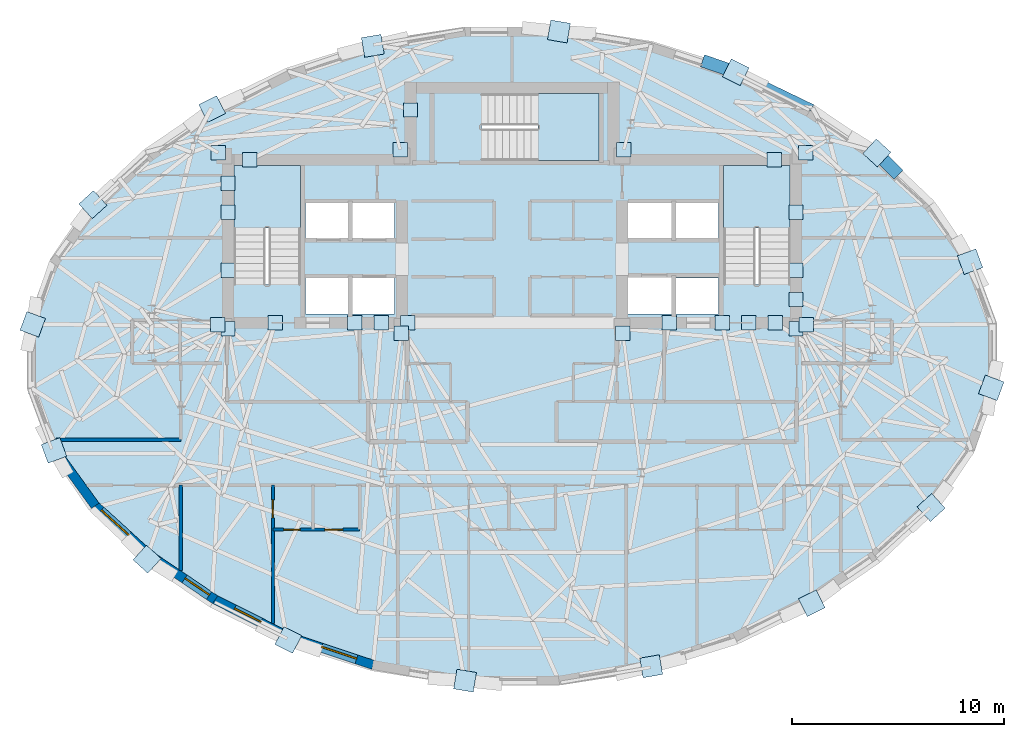
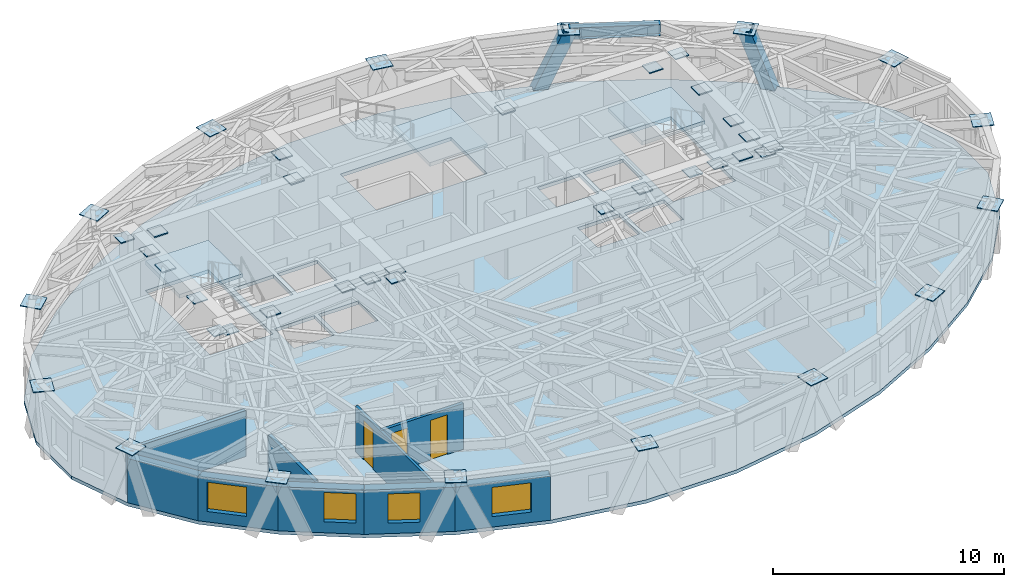
# One storey, part 5 of 14: 43 plates, 9 walls, 4 slabs, 4 windows, 3 doors, 2 members, 1 beam, 7 openings, 3 elements without a shape of their own.
"""IFC4 building model written with IfcOpenShell, lengths in metres."""

from ifc_helpers import new_model, si_unit, direction, frame, frame_2d, origin, origin_2d, place, context, subcontext, project, spatial, polyline, rectangle, hollow_rectangle, i_section, outline, extrude, material, layer, layer_set, material_profile, profile_set, type_object, element, fill, aggregate, save


model = new_model("IFC4")

# Units and contexts
model_context = context("Model", 3, precision=1e-05, world=origin(), true_north=direction((0.0, 1.0)))
body_context = subcontext(model_context, "Body", "Model", "MODEL_VIEW")
ifc_project = project(units=[si_unit("LENGTHUNIT", "METRE"), si_unit("AREAUNIT", "SQUARE_METRE"), si_unit("VOLUMEUNIT", "CUBIC_METRE"), si_unit("PLANEANGLEUNIT", "RADIAN"), si_unit("MASSUNIT", "GRAM", prefix="KILO")], contexts=[model_context])

# Site, building, storey
site_placement = place(None, origin())
site = spatial("IfcSite", under=ifc_project, at=site_placement, CompositionType="ELEMENT")
building_placement = place(site_placement, origin())
building = spatial("IfcBuilding", under=site, at=building_placement, Name="Keldmark Tower", CompositionType="ELEMENT")
storey_placement = place(building_placement, frame((0.0, 0.0, 222.60009765625)))
storey = spatial("IfcBuildingStorey", under=building, at=storey_placement, Name="L62", CompositionType="ELEMENT", Elevation=222.60009765625)

# Members
ifc_material_1 = material(Name="Steel ASTM A572 Grade 50", Category="steel")
ifc_material_profile_1 = material_profile(ifc_material_1, hollow_rectangle(XDim=0.60009765625, YDim=0.60009765625, WallThickness=0.034912109375, at=origin_2d()), Name="BOX600X600X35")
ifc_profile_set_1 = profile_set([ifc_material_profile_1], Name="Steel ASTM A572 Grade 50")
member_type = type_object("IfcMemberType", Name="Diagrid Zone 4 Brace BOX600X600X35", PredefinedType="BRACE", material=ifc_profile_set_1)
member_1_placement = place(storey_placement, frame((18.072265625, 8.77392578125, -0.260009765625), z_axis=(-0.248197625817, 0.248859094171, 0.936198210737), x_axis=(-0.70804715098, -0.706165159144, 0.0)))
element("IfcMember", 1, at=member_1_placement, inside=storey, type_object=member_type, Name="L62 Perimeter Diagrid Brace 02A", PredefinedType="BRACE", context=body_context, shape_type="SweptSolid", body=[
    extrude(hollow_rectangle(XDim=0.60009765625, YDim=0.60009765625, WallThickness=0.034912109375, at=origin_2d()), origin(), (0.0, 0.0, 1.0), 3.32177734375),
])
member_2_placement = place(storey_placement, frame((9.2626953125, 13.870849609375, -0.260009765625), z_axis=(0.38774311442, -0.134235291643, 0.911940877304), x_axis=(0.327146519512, 0.944973626495, 0.0)))
element("IfcMember", 2, at=member_2_placement, inside=storey, type_object=member_type, Name="L62 Perimeter Diagrid Brace 03B", PredefinedType="BRACE", context=body_context, shape_type="SweptSolid", body=[
    extrude(hollow_rectangle(XDim=0.60009765625, YDim=0.60009765625, WallThickness=0.034912109375, at=origin_2d()), origin(), (0.0, 0.0, 1.0), 3.41015625),
])

# Beam
ifc_material_2 = material(Name="Steel ASTM A992 Grade 50", Category="steel")
ifc_material_profile_2 = material_profile(ifc_material_2, i_section(OverallWidth=0.326904296875, OverallDepth=0.6220703125, WebThickness=0.015380859375, FlangeThickness=0.0244140625, at=origin_2d()), Name="W24X131")
ifc_profile_set_2 = profile_set([ifc_material_profile_2], Name="Steel ASTM A992 Grade 50")
beam_type = type_object("IfcBeamType", Name="Spandrel Ring Beam W24X131", PredefinedType="SPANDREL", material=ifc_profile_set_2)
beam_placement = place(storey_placement, frame((14.1982421875, 11.73291015625, 2.658935546875), z_axis=(-0.900331335269, 0.435205108808, 0.0), x_axis=(-0.435205108808, -0.900331335269, 0.0)))
element("IfcBeam", 3, at=beam_placement, inside=storey, type_object=beam_type, Name="L62 Perimeter Spandrel Ring Beam SRB-05", PredefinedType="SPANDREL", context=body_context, shape_type="SweptSolid", body=[
    extrude(i_section(OverallWidth=0.326904296875, OverallDepth=0.6220703125, WebThickness=0.015380859375, FlangeThickness=0.0244140625, at=origin_2d()), origin(), (0.0, 0.0, 1.0), 3.98193359375),
])

# Plates
ifc_material_3 = material(Name="Steel ASTM A572 Grade 50", Category="steel")
ifc_layer_1 = layer(ifc_material_3, 0.06005859375)
ifc_layer_set_1 = layer_set([ifc_layer_1], Name="Steel ASTM A572 Grade 50")
plate_type_1 = type_object("IfcPlateType", Name="Belt Truss Kink Node Assembly KN01 60 mm", PredefinedType="USERDEFINED", material=ifc_layer_set_1)
for number, where, z_axis, x_axis, name in (
    (4, (13.91162109375, 1.473388671875, 2.677734375), (0.0, 0.0, 1.0), (1.0, 0.0, 0.0), "L62 Core Wall Cast-In Embed Plate 1816"),
    (5, (13.878173828125, 9.608154296875, 2.677734375), (0.0, 0.0, 1.0), (1.0, 0.0, 0.0), "L62 Core Wall Cast-In Embed Plate 1817"),
    (6, (5.28515625, 9.758544921875, 2.677734375), (0.0, 0.0, 1.0), (1.0, 0.0, 0.0), "L62 Core Wall Cast-In Embed Plate 1818"),
    (7, (-5.28515625, 9.758544921875, 2.677734375), (0.0, 0.0, 1.0), (1.0, 0.0, 0.0), "L62 Core Wall Cast-In Embed Plate 1819"),
    (8, (-13.878173828125, 9.608154296875, 2.677734375), (0.0, 0.0, 1.0), (1.0, 0.0, 0.0), "L62 Core Wall Cast-In Embed Plate 1820"),
    (9, (-13.91162109375, 1.473388671875, 2.677734375), (0.0, 0.0, 1.0), (1.0, 0.0, 0.0), "L62 Core Wall Cast-In Embed Plate 1821"),
    (10, (-5.24072265625, 1.08251953125, 2.677734375), (0.0, 0.0, 1.0), (1.0, 0.0, 0.0), "L62 Core Wall Cast-In Embed Plate 1822"),
    (11, (5.24072265625, 1.08251953125, 2.677734375), (0.0, 0.0, 1.0), (1.0, 0.0, 0.0), "L62 Core Wall Cast-In Embed Plate 1823"),
    (12, (-11.19287109375, 1.574951171875, 2.673828125), (0.0, 0.0, 1.0), (1.0, 0.0, 0.0), "L62 Core Wall Cast-In Embed Plate 1824"),
    (13, (-7.43212890625, 1.574951171875, 2.673828125), (0.0, 0.0, 1.0), (1.0, 0.0, 0.0), "L62 Core Wall Cast-In Embed Plate 1825"),
    (14, (7.43212890625, 1.574951171875, 2.673828125), (0.0, 0.0, 1.0), (1.0, 0.0, 0.0), "L62 Core Wall Cast-In Embed Plate 1826"),
    (15, (11.19287109375, 1.574951171875, 2.673828125), (0.0, 0.0, 1.0), (1.0, 0.0, 0.0), "L62 Core Wall Cast-In Embed Plate 1827"),
    (16, (13.425048828125, 4.050048828125, 2.673828125), (0.0, 0.0, 1.0), (1.0, 0.0, 0.0), "L62 Core Wall Cast-In Embed Plate 1828"),
    (17, (-6.1787109375, 1.574951171875, 2.673828125), (0.0, 0.0, 1.0), (1.0, 0.0, 0.0), "L62 Core Wall Cast-In Embed Plate 1829"),
    (18, (9.939208984375, 1.574951171875, 2.673828125), (0.0, 0.0, 1.0), (1.0, 0.0, 0.0), "L62 Core Wall Cast-In Embed Plate 1830"),
    (19, (13.425048828125, 6.800048828125, 2.673828125), (0.0, 0.0, 1.0), (1.0, 0.0, 0.0), "L62 Core Wall Cast-In Embed Plate 1831"),
    (20, (-13.425048828125, 4.050048828125, 2.673828125), (0.0, 0.0, 1.0), (1.0, 0.0, 0.0), "L62 Core Wall Cast-In Embed Plate 1832"),
    (21, (-13.425048828125, 6.800048828125, 2.673828125), (0.0, 0.0, 1.0), (1.0, 0.0, 0.0), "L62 Core Wall Cast-In Embed Plate 1833"),
    (22, (12.4462890625, 1.574951171875, 2.673828125), (0.0, 0.0, 1.0), (1.0, 0.0, 0.0), "L62 Core Wall Cast-In Embed Plate 1834"),
    (23, (-13.425048828125, 1.300048828125, 2.673828125), (0.0, 0.0, 1.0), (1.0, 0.0, 0.0), "L62 Core Wall Cast-In Embed Plate 1835"),
    (24, (-4.925048828125, 1.574951171875, 2.673828125), (0.0, 0.0, 1.0), (1.0, 0.0, 0.0), "L62 Core Wall Cast-In Embed Plate 1836"),
    (25, (13.425048828125, 1.300048828125, 2.673828125), (0.0, 0.0, 1.0), (1.0, 0.0, 0.0), "L62 Core Wall Cast-In Embed Plate 1837"),
    (26, (13.425048828125, 2.675048828125, 2.673828125), (0.0, 0.0, 1.0), (1.0, 0.0, 0.0), "L62 Core Wall Cast-In Embed Plate 1838"),
    (27, (12.389404296875, 9.27490234375, 2.673828125), (0.0, 0.0, 1.0), (1.0, 0.0, 0.0), "L62 Core Wall Cast-In Embed Plate 1839"),
    (28, (-12.389404296875, 9.27490234375, 2.673828125), (0.0, 0.0, 1.0), (1.0, 0.0, 0.0), "L62 Core Wall Cast-In Embed Plate 1840"),
    (29, (-4.800048828125, 11.63330078125, 2.673828125), (0.0, 0.0, 1.0), (1.0, 0.0, 0.0), "L62 Core Wall Cast-In Embed Plate 1841"),
    (30, (-13.425048828125, 8.175048828125, 2.673828125), (0.0, 0.0, 1.0), (1.0, 0.0, 0.0), "L62 Core Wall Cast-In Embed Plate 1842"),
):
    element("IfcPlate", number, at=place(storey_placement, frame(where, z_axis=z_axis, x_axis=x_axis)), inside=storey, type_object=plate_type_1, Name=name, ObjectType="CAP PLATE", PredefinedType="USERDEFINED", context=body_context, shape_type="SweptSolid", body=[
        extrude(rectangle(XDim=0.679931640625, YDim=0.679931640625, at=origin_2d()), origin(), (0.0, 0.0, 1.0), 0.054931640625),
    ])
ifc_material_4 = material(Name="Steel ASTM A572 Grade 50", Category="steel")
ifc_layer_2 = layer(ifc_material_4, 0.0400390625)
ifc_layer_set_2 = layer_set([ifc_layer_2], Name="Steel ASTM A572 Grade 50")
plate_type_2 = type_object("IfcPlateType", Name="Diagrid Node Assembly DN05 40 mm", PredefinedType="USERDEFINED", material=ifc_layer_set_2)
for number, where, z_axis, x_axis, name in (
    (31, (21.648681640625, 4.4599609375, 2.829833984375), (0.0, 0.0, 1.0), (-0.346771953791, 0.937949472021, 0.0), "L62 Diagrid Node Assembly 01"),
    (32, (17.247802734375, 9.6005859375, 2.829833984375), (0.0, 0.0, 1.0), (-0.738925912503, 0.673786684219, 0.0), "L62 Diagrid Node Assembly 03"),
    (33, (10.5751953125, 13.41943359375, 2.829833984375), (0.0, 0.0, 1.0), (-0.892900372813, 0.450254288408, 0.0), "L62 Diagrid Node Assembly 05"),
    (34, (2.21923828125, 15.34326171875, 2.829833984375), (0.0, 0.0, 1.0), (-0.985850128464, 0.167629126969, 0.0), "L62 Diagrid Node Assembly 07"),
    (35, (-6.579345703125, 14.662353515625, 2.829833984375), (0.0, 0.0, 1.0), (-0.985850128464, -0.167629126969, 0.0), "L62 Diagrid Node Assembly 09"),
    (36, (-14.169921875, 11.679931640625, 2.829833984375), (0.0, 0.0, 1.0), (-0.892900372813, -0.450254288408, 0.0), "L62 Diagrid Node Assembly 11"),
    (37, (-19.809814453125, 7.15966796875, 2.829833984375), (0.0, 0.0, 1.0), (-0.738925912503, -0.673786684219, 0.0), "L62 Diagrid Node Assembly 13"),
    (38, (-22.65185546875, 1.49951171875, 2.829833984375), (0.0, 0.0, 1.0), (-0.346771953791, -0.937949472021, 0.0), "L62 Diagrid Node Assembly 15"),
    (39, (-21.648681640625, -4.4599609375, 2.829833984375), (0.0, 0.0, 1.0), (0.346771953791, -0.937949472021, 0.0), "L62 Diagrid Node Assembly 17"),
    (40, (-17.247802734375, -9.6005859375, 2.829833984375), (0.0, 0.0, 1.0), (0.738925912503, -0.673786684219, 0.0), "L62 Diagrid Node Assembly 19"),
    (41, (-10.5751953125, -13.41943359375, 2.829833984375), (0.0, 0.0, 1.0), (0.892900372813, -0.450254288408, 0.0), "L62 Diagrid Node Assembly 21"),
    (42, (-2.21923828125, -15.34326171875, 2.829833984375), (0.0, 0.0, 1.0), (0.985850128464, -0.167629126969, 0.0), "L62 Diagrid Node Assembly 23"),
    (43, (6.579345703125, -14.662353515625, 2.829833984375), (0.0, 0.0, 1.0), (0.985850128464, 0.167629126969, 0.0), "L62 Diagrid Node Assembly 25"),
    (44, (14.169921875, -11.679931640625, 2.829833984375), (0.0, 0.0, 1.0), (0.892900372813, 0.450254288408, 0.0), "L62 Diagrid Node Assembly 27"),
    (45, (19.809814453125, -7.15966796875, 2.829833984375), (0.0, 0.0, 1.0), (0.738925912503, 0.673786684219, 0.0), "L62 Diagrid Node Assembly 29"),
    (46, (22.65185546875, -1.49951171875, 2.829833984375), (0.0, 0.0, 1.0), (0.346771953791, 0.937949472021, 0.0), "L62 Diagrid Node Assembly 31"),
):
    element("IfcPlate", number, at=place(storey_placement, frame(where, z_axis=z_axis, x_axis=x_axis)), inside=storey, type_object=plate_type_2, Name=name, ObjectType="GUSSET", PredefinedType="USERDEFINED", context=body_context, shape_type="SweptSolid", body=[
        extrude(rectangle(XDim=0.93994140625, YDim=0.93994140625, at=origin_2d()), origin(), (0.0, 0.0, 1.0), 0.0400390625),
    ])

# Slab
ifc_material_5 = material(Name="Concrete C35/45", Category="concrete")
ifc_layer_3 = layer(ifc_material_5, 0.179931640625)
ifc_layer_set_3 = layer_set([ifc_layer_3], Name="Concrete C35/45")
slab_type_1 = type_object("IfcSlabType", Name="Hotel and Residential Slab 180 mm", PredefinedType="FLOOR", material=ifc_layer_set_3)
slab_1_placement = place(storey_placement, frame((0.0, 0.0, -0.18017578125)))
element("IfcSlab", 47, at=slab_1_placement, inside=storey, type_object=slab_type_1, Name="L62 Composite Structural Floor Slab", PredefinedType="FLOOR", context=body_context, shape_type="SweptSolid", body=[
    extrude(outline(polyline([(22.93408203125, 1.531982421875), (21.839599609375, 4.492919921875), (19.87646484375, 7.205078125), (17.24951171875, 9.6005859375), (14.156494140625, 11.698486328125), (10.624267578125, 13.47998046875), (6.625, 14.811279296875), (2.2587890625, 15.5537109375), (-2.2587890625, 15.5537109375), (-6.625, 14.811279296875), (-10.624267578125, 13.47998046875), (-14.156494140625, 11.698486328125), (-17.24951171875, 9.6005859375), (-19.87646484375, 7.205078125), (-21.839599609375, 4.492919921875), (-22.93408203125, 1.531982421875), (-22.93408203125, -1.531982421875), (-21.839599609375, -4.492919921875), (-19.87646484375, -7.205078125), (-17.24951171875, -9.6005859375), (-14.156494140625, -11.698486328125), (-10.624267578125, -13.47998046875), (-6.625, -14.811279296875), (-2.2587890625, -15.5537109375), (2.2587890625, -15.5537109375), (6.625, -14.811279296875), (10.624267578125, -13.47998046875), (14.156494140625, -11.698486328125), (17.24951171875, -9.6005859375), (19.87646484375, -7.205078125), (21.839599609375, -4.492919921875), (22.93408203125, -1.531982421875), (22.93408203125, 1.531982421875)]), holes=[polyline([(-10.0, 3.385009765625), (-10.0, 9.0), (-13.14990234375, 9.0), (-13.14990234375, 3.385009765625), (-10.0, 3.385009765625)]), polyline([(13.14990234375, 3.385009765625), (13.14990234375, 9.0), (10.0, 9.0), (10.0, 3.385009765625), (13.14990234375, 3.385009765625)]), polyline([(-1.43994140625, 9.25), (4.10498046875, 9.25), (4.10498046875, 12.39990234375), (-1.43994140625, 12.39990234375), (-1.43994140625, 9.25)]), polyline([(-9.75, 2.0), (-7.75, 2.0), (-7.75, 3.699951171875), (-9.75, 3.699951171875), (-9.75, 2.0)]), polyline([(7.75, 2.0), (9.75, 2.0), (9.75, 3.699951171875), (7.75, 3.699951171875), (7.75, 2.0)]), polyline([(5.449951171875, 2.0), (7.550048828125, 2.0), (7.550048828125, 3.75), (5.449951171875, 3.75), (5.449951171875, 2.0)]), polyline([(-9.75, 5.550048828125), (-7.75, 5.550048828125), (-7.75, 7.25), (-9.75, 7.25), (-9.75, 5.550048828125)]), polyline([(-7.550048828125, 5.550048828125), (-5.550048828125, 5.550048828125), (-5.550048828125, 7.25), (-7.550048828125, 7.25), (-7.550048828125, 5.550048828125)]), polyline([(-7.550048828125, 2.0), (-5.550048828125, 2.0), (-5.550048828125, 3.699951171875), (-7.550048828125, 3.699951171875), (-7.550048828125, 2.0)]), polyline([(5.449951171875, 5.550048828125), (7.550048828125, 5.550048828125), (7.550048828125, 7.25), (5.449951171875, 7.25), (5.449951171875, 5.550048828125)]), polyline([(7.75, 5.550048828125), (9.75, 5.550048828125), (9.75, 7.25), (7.75, 7.25), (7.75, 5.550048828125)])]), origin(), (0.0, 0.0, 1.0), 0.18017578125),
])

# Stair, slab
ifc_material_6 = material(Name="Concrete C40/50", Category="concrete")
stair_type = type_object("IfcStairType", Name="Precast Concrete Core Exit Stair", PredefinedType="HALF_TURN_STAIR", material=ifc_material_6)
stair_1_placement = place(storey_placement, origin())
stair_1 = element("IfcStair", 48, at=stair_1_placement, inside=storey, type_object=stair_type, Name="L62 Exit Stair ST1", PredefinedType="HALF_TURN_STAIR")
ifc_material_7 = material(Name="Concrete C40/50", Category="concrete")
ifc_layer_4 = layer(ifc_material_7, 0.199951171875)
ifc_layer_set_4 = layer_set([ifc_layer_4], Name="Concrete C40/50")
slab_type_2 = type_object("IfcSlabType", Name="Reinforced Concrete Stair Landing 200 mm", PredefinedType="LANDING", material=ifc_layer_set_4)
slab_2_placement = place(storey_placement, frame((0.0, 0.0, 1.375)))
slab_2 = element("IfcSlab", 49, at=slab_2_placement, type_object=slab_type_2, Name="ST1 landing 1", PredefinedType="LANDING", context=body_context, shape_type="SweptSolid", body=[
    extrude(outline(polyline([(-10.0, 6.050048828125), (-10.0, 9.0), (-13.14990234375, 9.0), (-13.14990234375, 6.050048828125), (-10.0, 6.050048828125)])), origin(), (0.0, 0.0, 1.0), 0.199951171875),
])
aggregate(stair_1, [slab_2])

stair_2_placement = place(storey_placement, origin())
stair_2 = element("IfcStair", 50, at=stair_2_placement, inside=storey, type_object=stair_type, Name="L62 Exit Stair ST2", PredefinedType="HALF_TURN_STAIR")
slab_3_placement = place(storey_placement, frame((0.0, 0.0, 1.375)))
slab_3 = element("IfcSlab", 51, at=slab_3_placement, type_object=slab_type_2, Name="ST2 landing 1", PredefinedType="LANDING", context=body_context, shape_type="SweptSolid", body=[
    extrude(outline(polyline([(13.14990234375, 6.050048828125), (13.14990234375, 9.0), (10.0, 9.0), (10.0, 6.050048828125), (13.14990234375, 6.050048828125)])), origin(), (0.0, 0.0, 1.0), 0.199951171875),
])
aggregate(stair_2, [slab_3])

stair_3_placement = place(storey_placement, origin())
stair_3 = element("IfcStair", 52, at=stair_3_placement, inside=storey, type_object=stair_type, Name="L62 Exit Stair ST3", PredefinedType="HALF_TURN_STAIR")
slab_4_placement = place(storey_placement, frame((0.0, 0.0, 1.375)))
slab_4 = element("IfcSlab", 53, at=slab_4_placement, type_object=slab_type_2, Name="ST3 landing 1", PredefinedType="LANDING", context=body_context, shape_type="SweptSolid", body=[
    extrude(outline(polyline([(1.22509765625, 9.25), (4.10498046875, 9.25), (4.10498046875, 12.39990234375), (1.22509765625, 12.39990234375), (1.22509765625, 9.25)])), origin(), (0.0, 0.0, 1.0), 0.199951171875),
])
aggregate(stair_3, [slab_4])

# Wall, opening, door
ifc_material_8 = material(Name="Acoustic Gypsum Board Interior Partition", Category="gypsum")
ifc_layer_5 = layer(ifc_material_8, 0.1298828125)
ifc_layer_set_5 = layer_set([ifc_layer_5], Name="Acoustic Gypsum Board Interior Partition")
wall_type_1 = type_object("IfcWallType", Name="Interior Partition 130 mm", PredefinedType="PARTITIONING", material=ifc_layer_set_5)
wall_1_placement = place(storey_placement, frame((-11.300048828125, -12.637451171875, 0.0), z_axis=(0.0, 0.0, 1.0), x_axis=(0.0, 1.0, 0.0)))
wall_1 = element("IfcWall", 54, at=wall_1_placement, inside=storey, type_object=wall_type_1, Name="L62 Interior Partition 130 mm UA-BR1-E", PredefinedType="PARTITIONING", context=body_context, shape_type="SweptSolid", body=[
    extrude(rectangle(XDim=6.537353515625, YDim=0.1298828125, at=frame_2d((3.2685546875, 0.0))), origin(), (0.0, 0.0, 1.0), 2.4228515625),
])
opening_1_placement = place(wall_1_placement, frame((4.9873046875, 0.0, 0.0)))
opening_1 = element("IfcOpeningElement", 55, at=opening_1_placement, cuts=wall_1, Name="Opening D-BR085", PredefinedType="OPENING", context=body_context, shape_type="SweptSolid", body=[
    extrude(rectangle(XDim=0.85009765625, YDim=2.10009765625, at=frame_2d((0.425048828125, 1.050048828125))), frame((0.0, 0.074951171875, 0.0), z_axis=(0.0, -1.0, 0.0), x_axis=(1.0, 0.0, 0.0)), (0.0, 0.0, 1.0), 0.14990234375),
])
ifc_material_9 = material(Name="Solid-Core Stained Walnut Wood", Category="wood")
door_type_1 = type_object("IfcDoorType", Name="Bedroom Door 850x2100", OperationType="NOTDEFINED", PredefinedType="DOOR", material=ifc_material_9)
door_1_placement = place(opening_1_placement, origin())
door_1 = element("IfcDoor", 56, at=door_1_placement, inside=storey, type_object=door_type_1, Name="L62 Bedroom Door 850x2100 D-UA-BR1-L62", OperationType="SINGLE_SWING_RIGHT", OverallHeight=2.10009765625, OverallWidth=0.85009765625, PredefinedType="DOOR", context=body_context, shape_type="SweptSolid", body=[
    extrude(rectangle(XDim=0.85009765625, YDim=2.10009765625, at=frame_2d((0.425048828125, 1.050048828125))), frame((0.0, 0.02490234375, 0.0), z_axis=(0.0, -1.0, 0.0), x_axis=(1.0, 0.0, 0.0)), (0.0, 0.0, 1.0), 0.050048828125),
])
fill(opening_1, door_1)

# Walls
ifc_material_10 = material(Name="Type X Fire-Rated Gypsum Partition Assembly", Category="gypsum")
ifc_layer_6 = layer(ifc_material_10, 0.1650390625)
ifc_layer_set_6 = layer_set([ifc_layer_6], Name="Type X Fire-Rated Gypsum Partition Assembly")
wall_type_2 = type_object("IfcWallType", Name="Rated Partition 165 mm", PredefinedType="PARTITIONING", material=ifc_layer_set_6)
wall_2_placement = place(storey_placement, frame((-21.5625, -3.949951171875, 0.0), z_axis=(0.0, 0.0, 1.0), x_axis=(1.0, 0.0, 0.0)))
element("IfcWall", 57, at=wall_2_placement, inside=storey, type_object=wall_type_2, Name="L62 Rated Partition 165 mm RCOR-WN-OUT", PredefinedType="PARTITIONING", context=body_context, shape_type="SweptSolid", body=[
    extrude(rectangle(XDim=5.91259765625, YDim=0.1650390625, at=frame_2d((2.956298828125, 0.0))), origin(), (0.0, 0.0, 1.0), 2.4228515625),
])
wall_3_placement = place(storey_placement, frame((-15.64990234375, -10.144287109375, 0.0), z_axis=(0.0, 0.0, 1.0), x_axis=(0.0, 1.0, 0.0)))
element("IfcWall", 58, at=wall_3_placement, inside=storey, type_object=wall_type_2, Name="L62 Rated Partition 165 mm RS-WCAP", PredefinedType="PARTITIONING", context=body_context, shape_type="SweptSolid", body=[
    extrude(rectangle(XDim=4.044189453125, YDim=0.1650390625, at=frame_2d((2.02197265625, 0.0))), origin(), (0.0, 0.0, 1.0), 2.4228515625),
])
ifc_material_11 = material(Name="Ironspot Manganese Brick and Kasota Buff Limestone Spandrel Assembly", Category="masonry")
ifc_layer_7 = layer(ifc_material_11, 0.43994140625)
ifc_layer_set_7 = layer_set([ifc_layer_7], Name="Ironspot Manganese Brick and Kasota Buff Limestone Spandrel Assembly")
wall_type_3 = type_object("IfcWallType", Name="Tower Brick Pier and Spandrel Wall 440 mm", PredefinedType="STANDARD", material=ifc_layer_set_7)
wall_4_placement = place(storey_placement, frame((-19.6982421875, -7.076171875, 0.0), z_axis=(0.0, 0.0, 1.0), x_axis=(-0.586344849721, 0.810061551492, 0.0)))
element("IfcWall", 59, at=wall_4_placement, inside=storey, type_object=wall_type_3, Name="L62 Exterior Brick and Spandrel Wall 18", PredefinedType="STANDARD", context=body_context, shape_type="SweptSolid", body=[
    extrude(rectangle(XDim=3.34814453125, YDim=0.43994140625, at=frame_2d((1.674072265625, 0.0))), origin(), (0.0, 0.0, 1.0), 2.3359375),
])

# Wall, opening, window
wall_5_placement = place(storey_placement, frame((-17.101318359375, -9.43798828125, 0.0), z_axis=(0.0, 0.0, 1.0), x_axis=(-0.738907573949, 0.673806795129, 0.0)))
wall_5 = element("IfcWall", 60, at=wall_5_placement, inside=storey, type_object=wall_type_3, Name="L62 Exterior Brick and Spandrel Wall 19", PredefinedType="STANDARD", context=body_context, shape_type="SweptSolid", body=[
    extrude(rectangle(XDim=3.55517578125, YDim=0.43994140625, at=frame_2d((1.777587890625, 0.0))), origin(), (0.0, 0.0, 1.0), 2.3359375),
])
opening_2_placement = place(wall_5_placement, frame((1.411376953125, 0.0, 0.550048828125)))
opening_2 = element("IfcOpeningElement", 61, at=opening_2_placement, cuts=wall_5, Name="Opening W-05", PredefinedType="OPENING", context=body_context, shape_type="SweptSolid", body=[
    extrude(rectangle(XDim=1.75, YDim=1.550048828125, at=frame_2d((0.875, 0.77490234375))), frame((0.0, 0.22998046875, 0.0), z_axis=(0.0, -1.0, 0.0), x_axis=(1.0, 0.0, 0.0)), (0.0, 0.0, 1.0), 0.4599609375),
])
ifc_material_12 = material(Name="Thermally Broken Anodized Aluminum and Triple Low-E Argon Glazing", Category="aluminium")
window_type_1 = type_object("IfcWindowType", Name="Residential Deep-Set Window 1750x1550", PartitioningType="DOUBLE_PANEL_VERTICAL", PredefinedType="WINDOW", material=ifc_material_12)
window_1_placement = place(opening_2_placement, origin())
window_1 = element("IfcWindow", 62, at=window_1_placement, inside=storey, type_object=window_type_1, Name="L62 Deep-Set Window 19", OverallHeight=1.550048828125, OverallWidth=1.75, PartitioningType="SINGLE_PANEL", PredefinedType="WINDOW", context=body_context, shape_type="SweptSolid", body=[
    extrude(rectangle(XDim=1.75, YDim=1.550048828125, at=frame_2d((0.875, 0.77490234375))), frame((0.0, -0.010009765625, 0.0), z_axis=(0.0, -1.0, 0.0), x_axis=(1.0, 0.0, 0.0)), (0.0, 0.0, 1.0), 0.06005859375),
])
fill(opening_2, window_1)

wall_6_placement = place(storey_placement, frame((-14.032958984375, -11.516357421875, 0.0), z_axis=(0.0, 0.0, 1.0), x_axis=(-0.827642668093, 0.561255391023, 0.0)))
wall_6 = element("IfcWall", 63, at=wall_6_placement, inside=storey, type_object=wall_type_3, Name="L62 Exterior Brick and Spandrel Wall 20", PredefinedType="STANDARD", context=body_context, shape_type="SweptSolid", body=[
    extrude(rectangle(XDim=3.737548828125, YDim=0.43994140625, at=frame_2d((1.86865234375, 0.0))), origin(), (0.0, 0.0, 1.0), 2.3359375),
])
opening_3_placement = place(wall_6_placement, frame((0.34912109375, 0.0, 0.580078125)))
opening_3 = element("IfcOpeningElement", 64, at=opening_3_placement, cuts=wall_6, Name="Opening W-08", PredefinedType="OPENING", context=body_context, shape_type="SweptSolid", body=[
    extrude(rectangle(XDim=1.39990234375, YDim=1.550048828125, at=frame_2d((0.699951171875, 0.77490234375))), frame((0.0, 0.22998046875, 0.0), z_axis=(0.0, -1.0, 0.0), x_axis=(1.0, 0.0, 0.0)), (0.0, 0.0, 1.0), 0.4599609375),
])
ifc_material_13 = material(Name="Thermally Broken Anodized Aluminum and Triple Low-E Argon Glazing", Category="aluminium")
window_type_2 = type_object("IfcWindowType", Name="Residential Corner Punched Window 1400x1550", PartitioningType="SINGLE_PANEL", PredefinedType="WINDOW", material=ifc_material_13)
window_2_placement = place(opening_3_placement, origin())
window_2 = element("IfcWindow", 65, at=window_2_placement, inside=storey, type_object=window_type_2, Name="L62 Deep-Set Window 20", OverallHeight=1.550048828125, OverallWidth=1.39990234375, PartitioningType="SINGLE_PANEL", PredefinedType="WINDOW", context=body_context, shape_type="SweptSolid", body=[
    extrude(rectangle(XDim=1.39990234375, YDim=1.550048828125, at=frame_2d((0.699951171875, 0.77490234375))), frame((0.0, -0.010009765625, 0.0), z_axis=(0.0, -1.0, 0.0), x_axis=(1.0, 0.0, 0.0)), (0.0, 0.0, 1.0), 0.06005859375),
])
fill(opening_3, window_2)

wall_7_placement = place(storey_placement, frame((-10.525146484375, -13.28369140625, 0.0), z_axis=(0.0, 0.0, 1.0), x_axis=(-0.892866610217, 0.450321236851, 0.0)))
wall_7 = element("IfcWall", 66, at=wall_7_placement, inside=storey, type_object=wall_type_3, Name="L62 Exterior Brick and Spandrel Wall 21", PredefinedType="STANDARD", context=body_context, shape_type="SweptSolid", body=[
    extrude(rectangle(XDim=3.9560546875, YDim=0.43994140625, at=frame_2d((1.97802734375, 0.0))), origin(), (0.0, 0.0, 1.0), 2.3359375),
])
opening_4_placement = place(wall_7_placement, frame((1.52294921875, 0.0, 0.550048828125)))
opening_4 = element("IfcOpeningElement", 67, at=opening_4_placement, cuts=wall_7, Name="Opening W-08", PredefinedType="OPENING", context=body_context, shape_type="SweptSolid", body=[
    extrude(rectangle(XDim=1.39990234375, YDim=1.550048828125, at=frame_2d((0.699951171875, 0.77490234375))), frame((0.0, 0.22998046875, 0.0), z_axis=(0.0, -1.0, 0.0), x_axis=(1.0, 0.0, 0.0)), (0.0, 0.0, 1.0), 0.4599609375),
])
window_3_placement = place(opening_4_placement, origin())
window_3 = element("IfcWindow", 68, at=window_3_placement, inside=storey, type_object=window_type_2, Name="L62 Deep-Set Window 21", OverallHeight=1.550048828125, OverallWidth=1.39990234375, PartitioningType="SINGLE_PANEL", PredefinedType="WINDOW", context=body_context, shape_type="SweptSolid", body=[
    extrude(rectangle(XDim=1.39990234375, YDim=1.550048828125, at=frame_2d((0.699951171875, 0.77490234375))), frame((0.0, -0.010009765625, 0.0), z_axis=(0.0, -1.0, 0.0), x_axis=(1.0, 0.0, 0.0)), (0.0, 0.0, 1.0), 0.06005859375),
])
fill(opening_4, window_3)

wall_8_placement = place(storey_placement, frame((-6.555419921875, -14.6025390625, 0.0), z_axis=(0.0, 0.0, 1.0), x_axis=(-0.948810648135, 0.315845459024, 0.0)))
wall_8 = element("IfcWall", 69, at=wall_8_placement, inside=storey, type_object=wall_type_3, Name="L62 Exterior Brick and Spandrel Wall 22", PredefinedType="STANDARD", context=body_context, shape_type="SweptSolid", body=[
    extrude(rectangle(XDim=4.215087890625, YDim=0.43994140625, at=frame_2d((2.107421875, 0.0))), origin(), (0.0, 0.0, 1.0), 2.3359375),
])
opening_5_placement = place(wall_8_placement, frame((0.839111328125, 0.0, 0.550048828125)))
opening_5 = element("IfcOpeningElement", 70, at=opening_5_placement, cuts=wall_8, Name="Opening W-05", PredefinedType="OPENING", context=body_context, shape_type="SweptSolid", body=[
    extrude(rectangle(XDim=1.75, YDim=1.550048828125, at=frame_2d((0.875, 0.77490234375))), frame((0.0, 0.22998046875, 0.0), z_axis=(0.0, -1.0, 0.0), x_axis=(1.0, 0.0, 0.0)), (0.0, 0.0, 1.0), 0.4599609375),
])
window_4_placement = place(opening_5_placement, origin())
window_4 = element("IfcWindow", 71, at=window_4_placement, inside=storey, type_object=window_type_1, Name="L62 Deep-Set Window 22", OverallHeight=1.550048828125, OverallWidth=1.75, PartitioningType="SINGLE_PANEL", PredefinedType="WINDOW", context=body_context, shape_type="SweptSolid", body=[
    extrude(rectangle(XDim=1.75, YDim=1.550048828125, at=frame_2d((0.875, 0.77490234375))), frame((0.0, -0.010009765625, 0.0), z_axis=(0.0, -1.0, 0.0), x_axis=(1.0, 0.0, 0.0)), (0.0, 0.0, 1.0), 0.06005859375),
])
fill(opening_5, window_4)

# Wall, openings, doors
ifc_material_14 = material(Name="Moisture-Resistant Gypsum Plumbing Partition", Category="gypsum")
ifc_layer_8 = layer(ifc_material_14, 0.14990234375)
ifc_layer_set_8 = layer_set([ifc_layer_8], Name="Moisture-Resistant Gypsum Plumbing Partition")
wall_type_4 = type_object("IfcWallType", Name="Wet Wall 150 mm", PredefinedType="PLUMBINGWALL", material=ifc_layer_set_8)
wall_9_placement = place(storey_placement, frame((-11.300048828125, -8.199951171875, 0.0), z_axis=(0.0, 0.0, 1.0), x_axis=(1.0, 0.0, 0.0)))
wall_9 = element("IfcWall", 72, at=wall_9_placement, inside=storey, type_object=wall_type_4, Name="L62 Wet Wall 150 mm UA-BK-S", PredefinedType="PLUMBINGWALL", context=body_context, shape_type="SweptSolid", body=[
    extrude(rectangle(XDim=4.10009765625, YDim=0.14990234375, at=frame_2d((2.050048828125, 0.0))), origin(), (0.0, 0.0, 1.0), 2.4228515625),
])
opening_6_placement = place(wall_9_placement, frame((0.5, 0.0, 0.0)))
opening_6 = element("IfcOpeningElement", 73, at=opening_6_placement, cuts=wall_9, Name="Opening D-BT080", PredefinedType="OPENING", context=body_context, shape_type="SweptSolid", body=[
    extrude(rectangle(XDim=0.800048828125, YDim=2.10009765625, at=frame_2d((0.39990234375, 1.050048828125))), frame((0.0, 0.0849609375, 0.0), z_axis=(0.0, -1.0, 0.0), x_axis=(1.0, 0.0, 0.0)), (0.0, 0.0, 1.0), 0.169921875),
])
opening_7_placement = place(wall_9_placement, frame((2.449951171875, 0.0, 0.0)))
opening_7 = element("IfcOpeningElement", 74, at=opening_7_placement, cuts=wall_9, Name="Opening D-IN085", PredefinedType="OPENING", context=body_context, shape_type="SweptSolid", body=[
    extrude(rectangle(XDim=0.85009765625, YDim=2.10009765625, at=frame_2d((0.425048828125, 1.050048828125))), frame((0.0, 0.0849609375, 0.0), z_axis=(0.0, -1.0, 0.0), x_axis=(1.0, 0.0, 0.0)), (0.0, 0.0, 1.0), 0.169921875),
])
ifc_material_15 = material(Name="Moisture-Sealed Stained Wood", Category="wood")
door_type_2 = type_object("IfcDoorType", Name="Bathroom Door 800x2100", OperationType="NOTDEFINED", PredefinedType="DOOR", material=ifc_material_15)
door_2_placement = place(opening_6_placement, origin())
door_2 = element("IfcDoor", 75, at=door_2_placement, inside=storey, type_object=door_type_2, Name="L62 Bathroom Door 800x2100 D-UA-BATH-L62", OperationType="SINGLE_SWING_LEFT", OverallHeight=2.10009765625, OverallWidth=0.800048828125, PredefinedType="DOOR", context=body_context, shape_type="SweptSolid", body=[
    extrude(rectangle(XDim=0.800048828125, YDim=2.10009765625, at=frame_2d((0.39990234375, 1.050048828125))), frame((0.0, 0.02490234375, 0.0), z_axis=(0.0, -1.0, 0.0), x_axis=(1.0, 0.0, 0.0)), (0.0, 0.0, 1.0), 0.050048828125),
])
fill(opening_6, door_2)
ifc_material_16 = material(Name="Painted Architectural Wood", Category="wood")
door_type_3 = type_object("IfcDoorType", Name="Interior Door 850x2100", OperationType="NOTDEFINED", PredefinedType="DOOR", material=ifc_material_16)
door_3_placement = place(opening_7_placement, origin())
door_3 = element("IfcDoor", 76, at=door_3_placement, inside=storey, type_object=door_type_3, Name="L62 Interior Door 850x2100 D-UA-KIT-L62", OperationType="SINGLE_SWING_RIGHT", OverallHeight=2.10009765625, OverallWidth=0.85009765625, PredefinedType="DOOR", context=body_context, shape_type="SweptSolid", body=[
    extrude(rectangle(XDim=0.85009765625, YDim=2.10009765625, at=frame_2d((0.425048828125, 1.050048828125))), frame((0.0, 0.02490234375, 0.0), z_axis=(0.0, -1.0, 0.0), x_axis=(1.0, 0.0, 0.0)), (0.0, 0.0, 1.0), 0.050048828125),
])
fill(opening_7, door_3)

save(model, "model.ifc")
